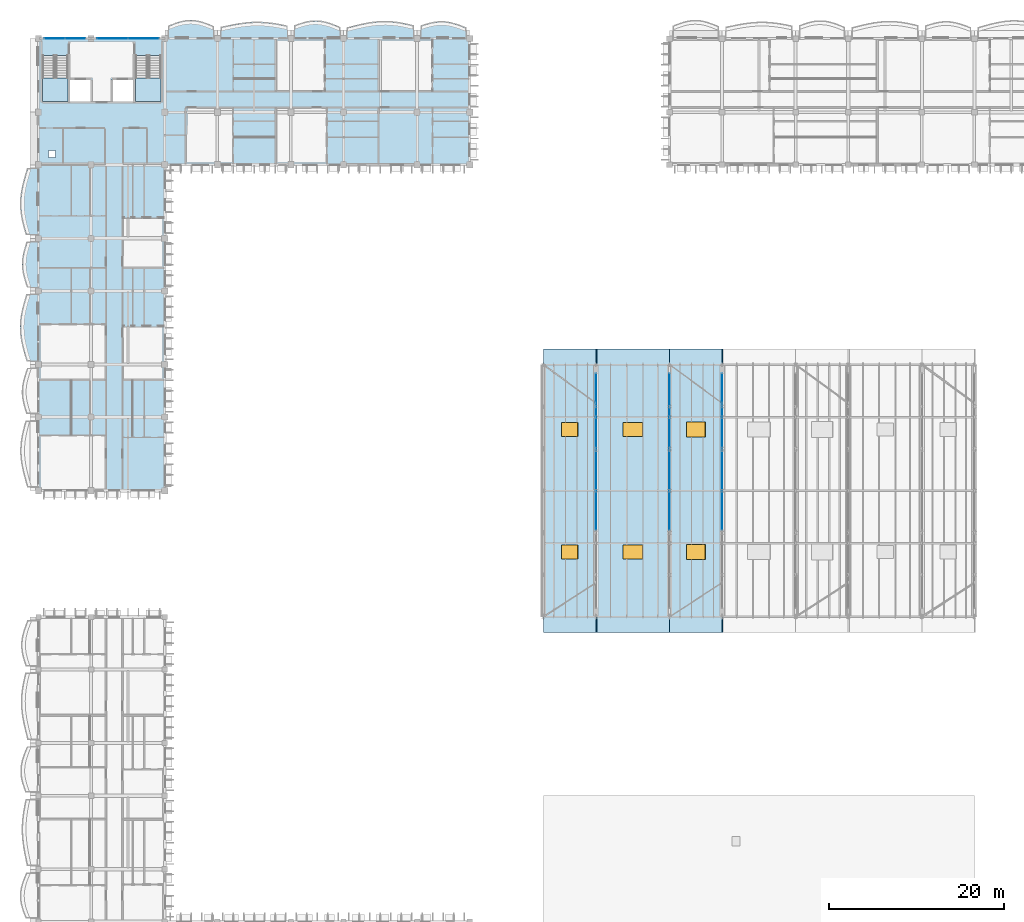
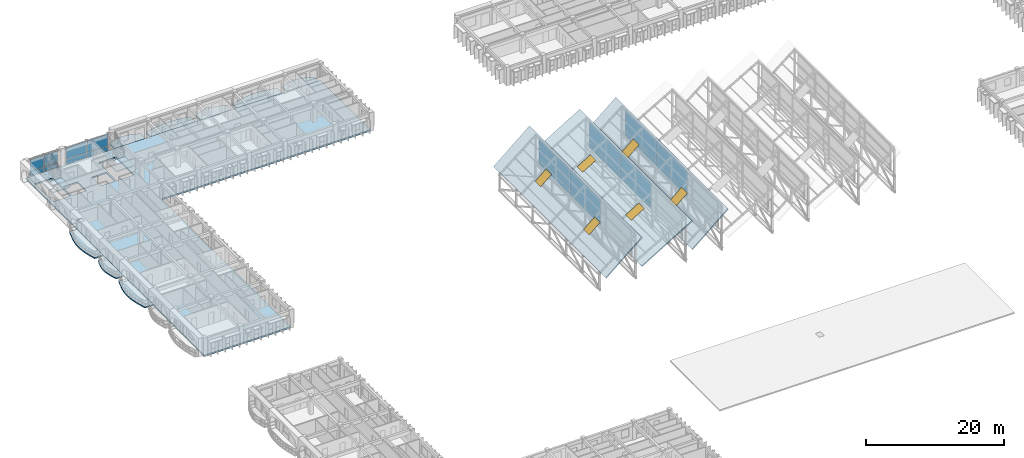
# One storey, part 33 of 101: 20 plates, 14 slabs, 6 windows, 6 openings, 7 elements without a shape of their own.
"""IFC4 building model written with IfcOpenShell, lengths in metres."""

from ifc_helpers import new_model, si_unit, direction, frame, origin, origin_2d, place, context, subcontext, project, spatial, polyline, rectangle, outline, extrude, material, layer, layer_set, type_object, element, fill, aggregate, save


model = new_model("IFC4")

# Units and contexts
model_context = context("Model", 3, precision=1e-05, world=origin(), true_north=direction((0.0, 1.0)))
body_context = subcontext(model_context, "Body", "Model", "MODEL_VIEW")
ifc_project = project(units=[si_unit("LENGTHUNIT", "METRE"), si_unit("AREAUNIT", "SQUARE_METRE"), si_unit("VOLUMEUNIT", "CUBIC_METRE"), si_unit("PLANEANGLEUNIT", "RADIAN"), si_unit("MASSUNIT", "GRAM", prefix="KILO"), si_unit("THERMODYNAMICTEMPERATUREUNIT", "KELVIN")], contexts=[model_context])

# Site, building, storey
site_placement = place(None, origin())
site = spatial("IfcSite", under=ifc_project, at=site_placement, CompositionType="ELEMENT")
building_placement = place(site_placement, origin())
building = spatial("IfcBuilding", under=site, at=building_placement, Name="Thalorik Housing Commons", CompositionType="ELEMENT")
storey_placement = place(building_placement, frame((0.0, 0.0, 8.10009765625)))
storey = spatial("IfcBuildingStorey", under=building, at=storey_placement, Name="L02", CompositionType="ELEMENT", Elevation=8.10009765625)

# Curtain wall, plates
ifc_material_1 = material(Name="Anodised aluminium and solar-control low-E glass", Category="aluminium")
curtain_wall_type_1 = type_object("IfcCurtainWallType", Name="ARC-CW-CORE", PredefinedType="USERDEFINED", material=ifc_material_1)
curtain_wall_1_placement = place(storey_placement, origin())
curtain_wall_1 = element("IfcCurtainWall", 1, at=curtain_wall_1_placement, inside=storey, type_object=curtain_wall_type_1, Name="L02 Curtain Wall CW-CORE-L02-A-010", ObjectType="CURTAIN WALL", PredefinedType="USERDEFINED")
ifc_material_2 = material(Name="Cobalt blue enamelled aluminium spandrel panel", Category="aluminium")
ifc_layer_1 = layer(ifc_material_2, 0.0458984375, Name="Cobalt blue enamelled aluminium spandrel panel", Category="aluminium")
ifc_layer_set_1 = layer_set([ifc_layer_1], Name="Cobalt blue enamelled aluminium spandrel panel")
plate_type_1 = type_object("IfcPlateType", Name="ARC-CP-BLU-46", PredefinedType="CURTAIN_PANEL", material=ifc_layer_set_1)
plate_1_placement = place(storey_placement, frame((12.574951171875, 123.60009765625, 0.080078125), z_axis=(0.0, 0.0, 1.0), x_axis=(-1.0, 0.0, 0.0)))
plate_1 = element("IfcPlate", 2, at=plate_1_placement, type_object=plate_type_1, Name="CW-CORE-L02-A-010 Spandrel Panel 1", PredefinedType="CURTAIN_PANEL", context=body_context, shape_type="SweptSolid", body=[
    extrude(rectangle(XDim=2.2900390625, YDim=0.0458984375, at=origin_2d()), origin(), (0.0, 0.0, 1.0), 0.760009765625),
])
plate_2_placement = place(storey_placement, frame((10.22509765625, 123.60009765625, 0.080078125), z_axis=(0.0, 0.0, 1.0), x_axis=(-1.0, 0.0, 0.0)))
plate_2 = element("IfcPlate", 3, at=plate_2_placement, type_object=plate_type_1, Name="CW-CORE-L02-A-010 Spandrel Panel 2", PredefinedType="CURTAIN_PANEL", context=body_context, shape_type="SweptSolid", body=[
    extrude(rectangle(XDim=2.2900390625, YDim=0.0458984375, at=origin_2d()), origin(), (0.0, 0.0, 1.0), 0.760009765625),
])

curtain_wall_type_2 = type_object("IfcCurtainWallType", Name="ARC-CW-CLER", PredefinedType="USERDEFINED", material=ifc_material_1)
curtain_wall_2_placement = place(storey_placement, origin())
curtain_wall_2 = element("IfcCurtainWall", 4, at=curtain_wall_2_placement, inside=storey, type_object=curtain_wall_type_2, Name="L02 Curtain Wall CW-SAW-CLER-01", ObjectType="CURTAIN WALL", PredefinedType="USERDEFINED")
plate_3_placement = place(storey_placement, frame((72.0, 72.0, 3.3798828125), z_axis=(0.0, 0.0, 1.0), x_axis=(0.0, 1.0, 0.0)))
plate_3 = element("IfcPlate", 5, at=plate_3_placement, type_object=plate_type_1, Name="CW-SAW-CLER-01 Spandrel Panel 2", PredefinedType="CURTAIN_PANEL", context=body_context, shape_type="SweptSolid", body=[
    extrude(rectangle(XDim=8.873291015625, YDim=0.0458984375, at=origin_2d()), origin(), (0.0, 0.0, 1.0), 0.760009765625),
])
plate_4_placement = place(storey_placement, frame((72.0, 80.933349609375, 3.3798828125), z_axis=(0.0, 0.0, 1.0), x_axis=(0.0, 1.0, 0.0)))
plate_4 = element("IfcPlate", 6, at=plate_4_placement, type_object=plate_type_1, Name="CW-SAW-CLER-01 Spandrel Panel 3", PredefinedType="CURTAIN_PANEL", context=body_context, shape_type="SweptSolid", body=[
    extrude(rectangle(XDim=8.873291015625, YDim=0.0458984375, at=origin_2d()), origin(), (0.0, 0.0, 1.0), 0.760009765625),
])

curtain_wall_3_placement = place(storey_placement, origin())
curtain_wall_3 = element("IfcCurtainWall", 7, at=curtain_wall_3_placement, inside=storey, type_object=curtain_wall_type_1, Name="L02 Curtain Wall CW-CORE-L02-A-009", ObjectType="CURTAIN WALL", PredefinedType="USERDEFINED")
ifc_material_3 = material(Name="Double solar-control low-E glass", Category="glass")
ifc_layer_2 = layer(ifc_material_3, 0.028076171875, Name="Double solar-control low-E glass", Category="glass")
ifc_layer_set_2 = layer_set([ifc_layer_2], Name="Double solar-control low-E glass")
plate_type_2 = type_object("IfcPlateType", Name="ARC-CP-GLZ-28", PredefinedType="CURTAIN_PANEL", material=ifc_layer_set_2)
plate_5_placement = place(storey_placement, frame((20.375, 123.60009765625, 0.919921875), z_axis=(0.0, 0.0, 1.0), x_axis=(-1.0, 0.0, 0.0)))
plate_5 = element("IfcPlate", 8, at=plate_5_placement, type_object=plate_type_2, Name="CW-CORE-L02-A-009 Vision Panel 1", PredefinedType="CURTAIN_PANEL", context=body_context, shape_type="SweptSolid", body=[
    extrude(rectangle(XDim=3.489990234375, YDim=0.028076171875, at=origin_2d()), origin(), (0.0, 0.0, 1.0), 2.0400390625),
])
plate_6_placement = place(storey_placement, frame((16.824951171875, 123.60009765625, 0.919921875), z_axis=(0.0, 0.0, 1.0), x_axis=(-1.0, 0.0, 0.0)))
plate_6 = element("IfcPlate", 9, at=plate_6_placement, type_object=plate_type_2, Name="CW-CORE-L02-A-009 Vision Panel 2", PredefinedType="CURTAIN_PANEL", context=body_context, shape_type="SweptSolid", body=[
    extrude(rectangle(XDim=3.489990234375, YDim=0.028076171875, at=origin_2d()), origin(), (0.0, 0.0, 1.0), 2.0400390625),
])

# Plate
plate_7_placement = place(storey_placement, frame((12.574951171875, 123.60009765625, 0.919921875), z_axis=(0.0, 0.0, 1.0), x_axis=(-1.0, 0.0, 0.0)))
plate_7 = element("IfcPlate", 10, at=plate_7_placement, type_object=plate_type_2, Name="CW-CORE-L02-A-010 Vision Panel 1", PredefinedType="CURTAIN_PANEL", context=body_context, shape_type="SweptSolid", body=[
    extrude(rectangle(XDim=2.2900390625, YDim=0.028076171875, at=origin_2d()), origin(), (0.0, 0.0, 1.0), 2.0400390625),
])

plate_8_placement = place(storey_placement, frame((10.22509765625, 123.60009765625, 0.919921875), z_axis=(0.0, 0.0, 1.0), x_axis=(-1.0, 0.0, 0.0)))
plate_8 = element("IfcPlate", 11, at=plate_8_placement, type_object=plate_type_2, Name="CW-CORE-L02-A-010 Vision Panel 2", PredefinedType="CURTAIN_PANEL", context=body_context, shape_type="SweptSolid", body=[
    extrude(rectangle(XDim=2.2900390625, YDim=0.028076171875, at=origin_2d()), origin(), (0.0, 0.0, 1.0), 2.0400390625),
])

aggregate(curtain_wall_1, [plate_1, plate_7, plate_2, plate_8])

plate_9_placement = place(storey_placement, frame((72.0, 72.0, 4.219970703125), z_axis=(0.0, 0.0, 1.0), x_axis=(0.0, 1.0, 0.0)))
plate_9 = element("IfcPlate", 12, at=plate_9_placement, type_object=plate_type_2, Name="CW-SAW-CLER-01 Vision Panel 2", PredefinedType="CURTAIN_PANEL", context=body_context, shape_type="SweptSolid", body=[
    extrude(rectangle(XDim=8.873291015625, YDim=0.028076171875, at=origin_2d()), origin(), (0.0, 0.0, 1.0), 3.64990234375),
])

plate_10_placement = place(storey_placement, frame((72.0, 80.933349609375, 4.219970703125), z_axis=(0.0, 0.0, 1.0), x_axis=(0.0, 1.0, 0.0)))
plate_10 = element("IfcPlate", 13, at=plate_10_placement, type_object=plate_type_2, Name="CW-SAW-CLER-01 Vision Panel 3", PredefinedType="CURTAIN_PANEL", context=body_context, shape_type="SweptSolid", body=[
    extrude(rectangle(XDim=8.873291015625, YDim=0.028076171875, at=origin_2d()), origin(), (0.0, 0.0, 1.0), 3.64990234375),
])

aggregate(curtain_wall_2, [plate_3, plate_9, plate_4, plate_10])

# Curtain wall, plates
curtain_wall_4_placement = place(storey_placement, origin())
curtain_wall_4 = element("IfcCurtainWall", 14, at=curtain_wall_4_placement, inside=storey, type_object=curtain_wall_type_2, Name="L02 Curtain Wall CW-SAW-CLER-02", ObjectType="CURTAIN WALL", PredefinedType="USERDEFINED")
plate_11_placement = place(storey_placement, frame((80.39990234375, 72.0, 4.219970703125), z_axis=(0.0, 0.0, 1.0), x_axis=(0.0, 1.0, 0.0)))
plate_11 = element("IfcPlate", 15, at=plate_11_placement, type_object=plate_type_2, Name="CW-SAW-CLER-02 Vision Panel 2", PredefinedType="CURTAIN_PANEL", context=body_context, shape_type="SweptSolid", body=[
    extrude(rectangle(XDim=8.873291015625, YDim=0.028076171875, at=origin_2d()), origin(), (0.0, 0.0, 1.0), 3.64990234375),
])
plate_12_placement = place(storey_placement, frame((80.39990234375, 80.933349609375, 4.219970703125), z_axis=(0.0, 0.0, 1.0), x_axis=(0.0, 1.0, 0.0)))
plate_12 = element("IfcPlate", 16, at=plate_12_placement, type_object=plate_type_2, Name="CW-SAW-CLER-02 Vision Panel 3", PredefinedType="CURTAIN_PANEL", context=body_context, shape_type="SweptSolid", body=[
    extrude(rectangle(XDim=8.873291015625, YDim=0.028076171875, at=origin_2d()), origin(), (0.0, 0.0, 1.0), 3.64990234375),
])

curtain_wall_5_placement = place(storey_placement, origin())
curtain_wall_5 = element("IfcCurtainWall", 17, at=curtain_wall_5_placement, inside=storey, type_object=curtain_wall_type_2, Name="L02 Curtain Wall CW-SAW-CLER-03", ObjectType="CURTAIN WALL", PredefinedType="USERDEFINED")
plate_13_placement = place(storey_placement, frame((86.39990234375, 72.0, 4.219970703125), z_axis=(0.0, 0.0, 1.0), x_axis=(0.0, 1.0, 0.0)))
plate_13 = element("IfcPlate", 18, at=plate_13_placement, type_object=plate_type_2, Name="CW-SAW-CLER-03 Vision Panel 2", PredefinedType="CURTAIN_PANEL", context=body_context, shape_type="SweptSolid", body=[
    extrude(rectangle(XDim=8.873291015625, YDim=0.028076171875, at=origin_2d()), origin(), (0.0, 0.0, 1.0), 3.64990234375),
])
plate_14_placement = place(storey_placement, frame((86.39990234375, 80.933349609375, 4.219970703125), z_axis=(0.0, 0.0, 1.0), x_axis=(0.0, 1.0, 0.0)))
plate_14 = element("IfcPlate", 19, at=plate_14_placement, type_object=plate_type_2, Name="CW-SAW-CLER-03 Vision Panel 3", PredefinedType="CURTAIN_PANEL", context=body_context, shape_type="SweptSolid", body=[
    extrude(rectangle(XDim=8.873291015625, YDim=0.028076171875, at=origin_2d()), origin(), (0.0, 0.0, 1.0), 3.64990234375),
])

# Plate
ifc_material_4 = material(Name="Oxide red enamelled aluminium spandrel panel", Category="aluminium")
ifc_layer_3 = layer(ifc_material_4, 0.0419921875, Name="Oxide red enamelled aluminium spandrel panel", Category="aluminium")
ifc_layer_set_3 = layer_set([ifc_layer_3], Name="Oxide red enamelled aluminium spandrel panel")
plate_type_3 = type_object("IfcPlateType", Name="ARC-CP-RED-42", PredefinedType="CURTAIN_PANEL", material=ifc_layer_set_3)
plate_15_placement = place(storey_placement, frame((20.375, 123.60009765625, 0.080078125), z_axis=(0.0, 0.0, 1.0), x_axis=(-1.0, 0.0, 0.0)))
plate_15 = element("IfcPlate", 20, at=plate_15_placement, type_object=plate_type_3, Name="CW-CORE-L02-A-009 Spandrel Panel 1", PredefinedType="CURTAIN_PANEL", context=body_context, shape_type="SweptSolid", body=[
    extrude(rectangle(XDim=3.489990234375, YDim=0.0419921875, at=origin_2d()), origin(), (0.0, 0.0, 1.0), 0.760009765625),
])

plate_16_placement = place(storey_placement, frame((16.824951171875, 123.60009765625, 0.080078125), z_axis=(0.0, 0.0, 1.0), x_axis=(-1.0, 0.0, 0.0)))
plate_16 = element("IfcPlate", 21, at=plate_16_placement, type_object=plate_type_3, Name="CW-CORE-L02-A-009 Spandrel Panel 2", PredefinedType="CURTAIN_PANEL", context=body_context, shape_type="SweptSolid", body=[
    extrude(rectangle(XDim=3.489990234375, YDim=0.0419921875, at=origin_2d()), origin(), (0.0, 0.0, 1.0), 0.760009765625),
])

aggregate(curtain_wall_3, [plate_15, plate_5, plate_16, plate_6])

plate_17_placement = place(storey_placement, frame((86.39990234375, 72.0, 3.3798828125), z_axis=(0.0, 0.0, 1.0), x_axis=(0.0, 1.0, 0.0)))
plate_17 = element("IfcPlate", 22, at=plate_17_placement, type_object=plate_type_3, Name="CW-SAW-CLER-03 Spandrel Panel 2", PredefinedType="CURTAIN_PANEL", context=body_context, shape_type="SweptSolid", body=[
    extrude(rectangle(XDim=8.873291015625, YDim=0.0419921875, at=origin_2d()), origin(), (0.0, 0.0, 1.0), 0.760009765625),
])

plate_18_placement = place(storey_placement, frame((86.39990234375, 80.933349609375, 3.3798828125), z_axis=(0.0, 0.0, 1.0), x_axis=(0.0, 1.0, 0.0)))
plate_18 = element("IfcPlate", 23, at=plate_18_placement, type_object=plate_type_3, Name="CW-SAW-CLER-03 Spandrel Panel 3", PredefinedType="CURTAIN_PANEL", context=body_context, shape_type="SweptSolid", body=[
    extrude(rectangle(XDim=8.873291015625, YDim=0.0419921875, at=origin_2d()), origin(), (0.0, 0.0, 1.0), 0.760009765625),
])

aggregate(curtain_wall_5, [plate_17, plate_13, plate_18, plate_14])

ifc_material_5 = material(Name="Mineral ochre yellow aluminium spandrel panel", Category="aluminium")
ifc_layer_4 = layer(ifc_material_5, 0.050048828125, Name="Mineral ochre yellow aluminium spandrel panel", Category="aluminium")
ifc_layer_set_4 = layer_set([ifc_layer_4], Name="Mineral ochre yellow aluminium spandrel panel")
plate_type_4 = type_object("IfcPlateType", Name="ARC-CP-YEL-50", PredefinedType="CURTAIN_PANEL", material=ifc_layer_set_4)
plate_19_placement = place(storey_placement, frame((80.39990234375, 72.0, 3.3798828125), z_axis=(0.0, 0.0, 1.0), x_axis=(0.0, 1.0, 0.0)))
plate_19 = element("IfcPlate", 24, at=plate_19_placement, type_object=plate_type_4, Name="CW-SAW-CLER-02 Spandrel Panel 2", PredefinedType="CURTAIN_PANEL", context=body_context, shape_type="SweptSolid", body=[
    extrude(rectangle(XDim=8.873291015625, YDim=0.050048828125, at=origin_2d()), origin(), (0.0, 0.0, 1.0), 0.760009765625),
])

plate_20_placement = place(storey_placement, frame((80.39990234375, 80.933349609375, 3.3798828125), z_axis=(0.0, 0.0, 1.0), x_axis=(0.0, 1.0, 0.0)))
plate_20 = element("IfcPlate", 25, at=plate_20_placement, type_object=plate_type_4, Name="CW-SAW-CLER-02 Spandrel Panel 3", PredefinedType="CURTAIN_PANEL", context=body_context, shape_type="SweptSolid", body=[
    extrude(rectangle(XDim=8.873291015625, YDim=0.050048828125, at=origin_2d()), origin(), (0.0, 0.0, 1.0), 0.760009765625),
])

aggregate(curtain_wall_4, [plate_19, plate_11, plate_20, plate_12])

# Stair, slab
ifc_material_6 = material(Name="Precast concrete C40/50", Category="concrete")
stair_type = type_object("IfcStairType", Name="ARC-STR-1350-R20", PredefinedType="HALF_TURN_STAIR", material=ifc_material_6)
stair_1_placement = place(storey_placement, origin())
stair_1 = element("IfcStair", 26, at=stair_1_placement, inside=storey, type_object=stair_type, Name="L02 Block A Smoke-Proof Stair 1", PredefinedType="HALF_TURN_STAIR")
ifc_layer_5 = layer(ifc_material_6, 0.199951171875, Name="Precast concrete C40/50", Category="concrete")
ifc_layer_set_5 = layer_set([ifc_layer_5], Name="Precast concrete C40/50")
slab_type_1 = type_object("IfcSlabType", Name="ARC-SLB-STLND-200", PredefinedType="LANDING", material=ifc_layer_set_5)
slab_1_placement = place(storey_placement, frame((0.0, 0.0, 1.449951171875)))
slab_1 = element("IfcSlab", 27, at=slab_1_placement, type_object=slab_type_1, Name="ST-A1 landing 1", PredefinedType="LANDING", context=body_context, shape_type="SweptSolid", body=[
    extrude(outline(polyline([(8.85009765625, 119.090087890625), (8.85009765625, 116.449951171875), (11.75, 116.449951171875), (11.75, 119.090087890625), (8.85009765625, 119.090087890625)])), origin(), (0.0, 0.0, 1.0), 0.199951171875),
])
aggregate(stair_1, [slab_1])

stair_2_placement = place(storey_placement, origin())
stair_2 = element("IfcStair", 28, at=stair_2_placement, inside=storey, type_object=stair_type, Name="L02 Block A Smoke-Proof Stair 2", PredefinedType="HALF_TURN_STAIR")
slab_2_placement = place(storey_placement, frame((0.0, 0.0, 1.449951171875)))
slab_2 = element("IfcSlab", 29, at=slab_2_placement, type_object=slab_type_1, Name="ST-A2 landing 1", PredefinedType="LANDING", context=body_context, shape_type="SweptSolid", body=[
    extrude(outline(polyline([(19.449951171875, 119.090087890625), (19.449951171875, 116.449951171875), (22.35009765625, 116.449951171875), (22.35009765625, 119.090087890625), (19.449951171875, 119.090087890625)])), origin(), (0.0, 0.0, 1.0), 0.199951171875),
])
aggregate(stair_2, [slab_2])

# Slabs
ifc_layer_6 = layer(ifc_material_6, 0.199951171875, Name="Precast concrete C40/50", Category="concrete")
ifc_layer_set_6 = layer_set([ifc_layer_6], Name="Precast concrete C40/50")
slab_type_2 = type_object("IfcSlabType", Name="STR-SLB-BALC-200", PredefinedType="FLOOR", material=ifc_layer_set_6)
slab_3_placement = place(storey_placement, frame((0.0, 0.0, -0.2001953125)))
element("IfcSlab", 30, at=slab_3_placement, inside=storey, type_object=slab_type_2, Name="L02 Block A Cushion Balcony 1", PredefinedType="FLOOR", context=body_context, shape_type="SweptSolid", body=[
    extrude(outline(polyline([(23.219970703125, 123.60009765625), (28.3798828125, 123.60009765625), (28.3798828125, 124.99072265625), (27.949951171875, 125.17041015625), (27.52001953125, 125.338134765625), (27.090087890625, 125.482421875), (26.659912109375, 125.5947265625), (26.22998046875, 125.667236328125), (25.800048828125, 125.69580078125), (25.3701171875, 125.6787109375), (24.93994140625, 125.6171875), (24.510009765625, 125.515380859375), (24.080078125, 125.380126953125), (23.64990234375, 125.22021484375), (23.219970703125, 125.04638671875), (23.219970703125, 123.60009765625)])), origin(), (0.0, 0.0, 1.0), 0.2001953125),
])
slab_4_placement = place(storey_placement, frame((0.0, 0.0, -0.2001953125)))
element("IfcSlab", 31, at=slab_4_placement, inside=storey, type_object=slab_type_2, Name="L02 Block A Cushion Balcony 3", PredefinedType="FLOOR", context=body_context, shape_type="SweptSolid", body=[
    extrude(outline(polyline([(37.6201171875, 123.60009765625), (42.780029296875, 123.60009765625), (42.780029296875, 124.901611328125), (42.35009765625, 125.07958984375), (41.919921875, 125.248291015625), (41.489990234375, 125.397216796875), (41.06005859375, 125.5166015625), (40.6298828125, 125.599365234375), (40.199951171875, 125.640380859375), (39.77001953125, 125.6376953125), (39.340087890625, 125.592041015625), (38.909912109375, 125.507080078125), (38.47998046875, 125.388916015625), (38.050048828125, 125.24560546875), (37.6201171875, 125.087646484375), (37.6201171875, 123.60009765625)])), origin(), (0.0, 0.0, 1.0), 0.2001953125),
])
slab_5_placement = place(storey_placement, frame((0.0, 0.0, -0.2001953125)))
element("IfcSlab", 32, at=slab_5_placement, inside=storey, type_object=slab_type_2, Name="L02 Block A Cushion Balcony 5", PredefinedType="FLOOR", context=body_context, shape_type="SweptSolid", body=[
    extrude(outline(polyline([(52.02001953125, 123.60009765625), (57.179931640625, 123.60009765625), (57.179931640625, 124.85205078125), (56.75, 125.0166015625), (56.320068359375, 125.174072265625), (55.889892578125, 125.314453125), (55.4599609375, 125.42822265625), (55.030029296875, 125.50830078125), (54.60009765625, 125.55029296875), (54.169921875, 125.55126953125), (53.739990234375, 125.512451171875), (53.31005859375, 125.43701171875), (52.8798828125, 125.330810546875), (52.449951171875, 125.201904296875), (52.02001953125, 125.0595703125), (52.02001953125, 123.60009765625)])), origin(), (0.0, 0.0, 1.0), 0.2001953125),
])
slab_6_placement = place(storey_placement, frame((0.0, 0.0, -0.2001953125)))
element("IfcSlab", 33, at=slab_6_placement, inside=storey, type_object=slab_type_2, Name="L02 Block A Cushion Balcony 9", PredefinedType="FLOOR", context=body_context, shape_type="SweptSolid", body=[
    extrude(outline(polyline([(8.39990234375, 95.219970703125), (8.39990234375, 100.3798828125), (7.052734375, 100.3798828125), (6.915771484375, 99.949951171875), (6.7880859375, 99.52001953125), (6.678955078125, 99.090087890625), (6.5966796875, 98.659912109375), (6.547119140625, 98.22998046875), (6.533935546875, 97.800048828125), (6.55859375, 97.3701171875), (6.619140625, 96.93994140625), (6.7119140625, 96.510009765625), (6.830078125, 96.080078125), (6.96533203125, 95.64990234375), (7.1083984375, 95.219970703125), (8.39990234375, 95.219970703125)])), origin(), (0.0, 0.0, 1.0), 0.2001953125),
])
ifc_layer_7 = layer(ifc_material_6, 0.219970703125, Name="Precast concrete C40/50", Category="concrete")
ifc_layer_set_7 = layer_set([ifc_layer_7], Name="Precast concrete C40/50")
slab_type_3 = type_object("IfcSlabType", Name="STR-SLB-BALC-220", PredefinedType="FLOOR", material=ifc_layer_set_7)
slab_7_placement = place(storey_placement, frame((0.0, 0.0, -0.22021484375)))
element("IfcSlab", 34, at=slab_7_placement, inside=storey, type_object=slab_type_3, Name="L02 Block A Cushion Balcony 2", PredefinedType="FLOOR", context=body_context, shape_type="SweptSolid", body=[
    extrude(outline(polyline([(29.219970703125, 123.60009765625), (36.780029296875, 123.60009765625), (36.780029296875, 125.048583984375), (36.14990234375, 125.179931640625), (35.52001953125, 125.296630859375), (34.889892578125, 125.390869140625), (34.260009765625, 125.456298828125), (33.6298828125, 125.489013671875), (33.0, 125.486572265625), (32.3701171875, 125.44970703125), (31.739990234375, 125.380615234375), (31.110107421875, 125.284423828125), (30.47998046875, 125.16748046875), (29.85009765625, 125.037841796875), (29.219970703125, 124.904296875), (29.219970703125, 123.60009765625)])), origin(), (0.0, 0.0, 1.0), 0.22021484375),
])
slab_8_placement = place(storey_placement, frame((0.0, 0.0, -0.22021484375)))
element("IfcSlab", 35, at=slab_8_placement, inside=storey, type_object=slab_type_3, Name="L02 Block A Cushion Balcony 4", PredefinedType="FLOOR", context=body_context, shape_type="SweptSolid", body=[
    extrude(outline(polyline([(43.6201171875, 123.60009765625), (51.179931640625, 123.60009765625), (51.179931640625, 125.087890625), (50.550048828125, 125.239990234375), (49.919921875, 125.373046875), (49.2900390625, 125.477783203125), (48.659912109375, 125.54736328125), (48.030029296875, 125.5771484375), (47.39990234375, 125.5654296875), (46.77001953125, 125.51318359375), (46.139892578125, 125.424072265625), (45.510009765625, 125.3046875), (44.8798828125, 125.162841796875), (44.25, 125.0087890625), (43.6201171875, 124.8525390625), (43.6201171875, 123.60009765625)])), origin(), (0.0, 0.0, 1.0), 0.22021484375),
])
slab_9_placement = place(storey_placement, frame((0.0, 0.0, -0.22021484375)))
element("IfcSlab", 36, at=slab_9_placement, inside=storey, type_object=slab_type_3, Name="L02 Block A Cushion Balcony 8", PredefinedType="FLOOR", context=body_context, shape_type="SweptSolid", body=[
    extrude(outline(polyline([(8.39990234375, 86.820068359375), (8.39990234375, 94.3798828125), (7.02490234375, 94.3798828125), (6.83447265625, 93.75), (6.65771484375, 93.1201171875), (6.5068359375, 92.489990234375), (6.392333984375, 91.860107421875), (6.322021484375, 91.22998046875), (6.301025390625, 90.60009765625), (6.33056640625, 89.969970703125), (6.408447265625, 89.340087890625), (6.529541015625, 88.7099609375), (6.685302734375, 88.080078125), (6.86474609375, 87.449951171875), (7.0556640625, 86.820068359375), (8.39990234375, 86.820068359375)])), origin(), (0.0, 0.0, 1.0), 0.22021484375),
])
slab_10_placement = place(storey_placement, frame((0.0, 0.0, -0.22021484375)))
element("IfcSlab", 37, at=slab_10_placement, inside=storey, type_object=slab_type_3, Name="L02 Block A Cushion Balcony 10", PredefinedType="FLOOR", context=body_context, shape_type="SweptSolid", body=[
    extrude(outline(polyline([(8.39990234375, 101.219970703125), (8.39990234375, 108.780029296875), (7.110595703125, 108.780029296875), (6.92529296875, 108.14990234375), (6.74658203125, 107.52001953125), (6.58740234375, 106.889892578125), (6.458251953125, 106.260009765625), (6.36865234375, 105.6298828125), (6.32470703125, 105.0), (6.329345703125, 104.3701171875), (6.382568359375, 103.739990234375), (6.48095703125, 103.110107421875), (6.61767578125, 102.47998046875), (6.783203125, 101.85009765625), (6.96630859375, 101.219970703125), (8.39990234375, 101.219970703125)])), origin(), (0.0, 0.0, 1.0), 0.22021484375),
])
ifc_material_7 = material(Name="Precast concrete C45/55", Category="concrete")
ifc_layer_8 = layer(ifc_material_7, 0.260009765625, Name="Precast concrete C45/55", Category="concrete")
ifc_layer_set_8 = layer_set([ifc_layer_8], Name="Precast concrete C45/55")
slab_type_4 = type_object("IfcSlabType", Name="STR-SLB-HC-260", PredefinedType="FLOOR", material=ifc_layer_set_8)
slab_11_placement = place(storey_placement, frame((0.0, 0.0, -0.260009765625)))
element("IfcSlab", 38, at=slab_11_placement, inside=storey, type_object=slab_type_4, Name="L02 Residential Block A Floor Slab", PredefinedType="FLOOR", context=body_context, shape_type="SweptSolid", body=[
    extrude(outline(polyline([(8.39990234375, 123.60009765625), (8.39990234375, 109.199951171875), (8.39990234375, 72.0), (22.800048828125, 72.0), (22.800048828125, 109.199951171875), (57.60009765625, 109.199951171875), (57.60009765625, 123.60009765625), (8.39990234375, 123.60009765625)]), holes=[polyline([(8.85009765625, 121.64990234375), (11.75, 121.64990234375), (11.75, 116.449951171875), (8.85009765625, 116.449951171875), (8.85009765625, 121.64990234375)]), polyline([(22.35009765625, 121.64990234375), (22.35009765625, 116.449951171875), (19.449951171875, 116.449951171875), (19.449951171875, 121.64990234375), (22.35009765625, 121.64990234375)]), polyline([(14.39990234375, 119.0), (14.39990234375, 116.449951171875), (12.0, 116.449951171875), (12.0, 119.0), (14.39990234375, 119.0)]), polyline([(19.199951171875, 116.449951171875), (16.800048828125, 116.449951171875), (16.800048828125, 119.0), (19.199951171875, 119.0), (19.199951171875, 116.449951171875)]), polyline([(9.550048828125, 110.050048828125), (9.550048828125, 110.85009765625), (10.35009765625, 110.85009765625), (10.35009765625, 110.050048828125), (9.550048828125, 110.050048828125)])]), origin(), (0.0, 0.0, 1.0), 0.260009765625),
])

# Slab, openings, windows
ifc_layer_9 = layer(ifc_material_6, 0.179931640625, Name="Precast concrete C40/50", Category="concrete")
ifc_layer_set_9 = layer_set([ifc_layer_9], Name="Precast concrete C40/50")
slab_type_5 = type_object("IfcSlabType", Name="STR-SLB-SAW-180", PredefinedType="ROOF", material=ifc_layer_set_9)
slab_12_placement = place(storey_placement, frame((66.0, 55.800048828125, 3.2998046875), z_axis=(-0.647655619635, 0.0, 0.761933198092), x_axis=(0.761933198092, 0.0, 0.647655619635)))
slab_12 = element("IfcSlab", 39, at=slab_12_placement, inside=storey, type_object=slab_type_5, Name="L02 Community Hall Sawtooth Roof Facet 1", PredefinedType="ROOF", context=body_context, shape_type="SweptSolid", body=[
    extrude(outline(polyline([(0.0, 0.0), (7.874706096311579, 0.0), (7.874706096311579, 32.39990234375), (0.0, 32.39990234375), (0.0, 0.0)])), origin(), (0.0, 0.0, -1.0), 0.179931640625),
])
opening_1_placement = place(slab_12_placement, frame((3.937255859375, 9.199951171875, 0.010009765625), z_axis=(0.0, 0.0, -1.0), x_axis=(1.0, 0.0, 0.0)))
opening_1 = element("IfcOpeningElement", 40, at=opening_1_placement, cuts=slab_12, Name="Opening SK-01", PredefinedType="OPENING", context=body_context, shape_type="SweptSolid", body=[
    extrude(rectangle(XDim=2.39990234375, YDim=1.60009765625, at=origin_2d()), origin(), (0.0, 0.0, 1.0), 0.199951171875),
])
opening_2_placement = place(slab_12_placement, frame((3.937255859375, 23.199951171875, 0.010009765625), z_axis=(0.0, 0.0, -1.0), x_axis=(1.0, 0.0, 0.0)))
opening_2 = element("IfcOpeningElement", 41, at=opening_2_placement, cuts=slab_12, Name="Opening SK-01", PredefinedType="OPENING", context=body_context, shape_type="SweptSolid", body=[
    extrude(rectangle(XDim=2.39990234375, YDim=1.60009765625, at=origin_2d()), origin(), (0.0, 0.0, 1.0), 0.199951171875),
])
ifc_material_8 = material(Name="Laminated solar-control skylight glass and aluminium frame", Category="aluminium")
window_type_1 = type_object("IfcWindowType", Name="ARC-SKY-01", PartitioningType="DOUBLE_PANEL_HORIZONTAL", PredefinedType="SKYLIGHT", material=ifc_material_8)
window_1_placement = place(opening_1_placement, frame((0.0, 0.0, 0.010009765625)))
window_1 = element("IfcWindow", 42, at=window_1_placement, inside=storey, type_object=window_type_1, Name="L02 Sawtooth North-Light Skylight 1.1", OverallHeight=1.60009765625, OverallWidth=2.39990234375, PartitioningType="DOUBLE_PANEL_HORIZONTAL", PredefinedType="SKYLIGHT", context=body_context, shape_type="SweptSolid", body=[
    extrude(rectangle(XDim=2.39990234375, YDim=1.60009765625, at=origin_2d()), origin(), (0.0, 0.0, 1.0), 0.050048828125),
])
fill(opening_1, window_1)
window_2_placement = place(opening_2_placement, frame((0.0, 0.0, 0.010009765625)))
window_2 = element("IfcWindow", 43, at=window_2_placement, inside=storey, type_object=window_type_1, Name="L02 Sawtooth North-Light Skylight 1.2", OverallHeight=1.60009765625, OverallWidth=2.39990234375, PartitioningType="DOUBLE_PANEL_HORIZONTAL", PredefinedType="SKYLIGHT", context=body_context, shape_type="SweptSolid", body=[
    extrude(rectangle(XDim=2.39990234375, YDim=1.60009765625, at=origin_2d()), origin(), (0.0, 0.0, 1.0), 0.050048828125),
])
fill(opening_2, window_2)

slab_13_placement = place(storey_placement, frame((72.0, 55.800048828125, 3.2998046875), z_axis=(-0.518989803665, 0.0, 0.854780430106), x_axis=(0.854780430106, 0.0, 0.518989803665)))
slab_13 = element("IfcSlab", 44, at=slab_13_placement, inside=storey, type_object=slab_type_5, Name="L02 Community Hall Sawtooth Roof Facet 2", PredefinedType="ROOF", context=body_context, shape_type="SweptSolid", body=[
    extrude(outline(polyline([(0.0, 0.0), (9.826970819526405, 0.0), (9.826970819526405, 32.39990234375), (0.0, 32.39990234375), (0.0, 0.0)])), origin(), (0.0, 0.0, -1.0), 0.179931640625),
])
opening_3_placement = place(slab_13_placement, frame((4.91357421875, 9.199951171875, 0.010009765625), z_axis=(0.0, 0.0, -1.0), x_axis=(1.0, 0.0, 0.0)))
opening_3 = element("IfcOpeningElement", 45, at=opening_3_placement, cuts=slab_13, Name="Opening SK-02", PredefinedType="OPENING", context=body_context, shape_type="SweptSolid", body=[
    extrude(rectangle(XDim=2.60009765625, YDim=1.60009765625, at=origin_2d()), origin(), (0.0, 0.0, 1.0), 0.199951171875),
])
opening_4_placement = place(slab_13_placement, frame((4.91357421875, 23.199951171875, 0.010009765625), z_axis=(0.0, 0.0, -1.0), x_axis=(1.0, 0.0, 0.0)))
opening_4 = element("IfcOpeningElement", 46, at=opening_4_placement, cuts=slab_13, Name="Opening SK-02", PredefinedType="OPENING", context=body_context, shape_type="SweptSolid", body=[
    extrude(rectangle(XDim=2.60009765625, YDim=1.60009765625, at=origin_2d()), origin(), (0.0, 0.0, 1.0), 0.199951171875),
])
window_type_2 = type_object("IfcWindowType", Name="ARC-SKY-02", PartitioningType="DOUBLE_PANEL_HORIZONTAL", PredefinedType="SKYLIGHT", material=ifc_material_8)
window_3_placement = place(opening_3_placement, frame((0.0, 0.0, 0.010009765625)))
window_3 = element("IfcWindow", 47, at=window_3_placement, inside=storey, type_object=window_type_2, Name="L02 Sawtooth North-Light Skylight 2.1", OverallHeight=1.60009765625, OverallWidth=2.60009765625, PartitioningType="DOUBLE_PANEL_HORIZONTAL", PredefinedType="SKYLIGHT", context=body_context, shape_type="SweptSolid", body=[
    extrude(rectangle(XDim=2.60009765625, YDim=1.60009765625, at=origin_2d()), origin(), (0.0, 0.0, 1.0), 0.050048828125),
])
fill(opening_3, window_3)
window_4_placement = place(opening_4_placement, frame((0.0, 0.0, 0.010009765625)))
window_4 = element("IfcWindow", 48, at=window_4_placement, inside=storey, type_object=window_type_2, Name="L02 Sawtooth North-Light Skylight 2.2", OverallHeight=1.60009765625, OverallWidth=2.60009765625, PartitioningType="DOUBLE_PANEL_HORIZONTAL", PredefinedType="SKYLIGHT", context=body_context, shape_type="SweptSolid", body=[
    extrude(rectangle(XDim=2.60009765625, YDim=1.60009765625, at=origin_2d()), origin(), (0.0, 0.0, 1.0), 0.050048828125),
])
fill(opening_4, window_4)

slab_14_placement = place(storey_placement, frame((80.39990234375, 55.800048828125, 3.2998046875), z_axis=(-0.647655619635, 0.0, 0.761933198092), x_axis=(0.761933198092, 0.0, 0.647655619635)))
slab_14 = element("IfcSlab", 49, at=slab_14_placement, inside=storey, type_object=slab_type_5, Name="L02 Community Hall Sawtooth Roof Facet 3", PredefinedType="ROOF", context=body_context, shape_type="SweptSolid", body=[
    extrude(outline(polyline([(0.0, 0.0), (7.874706096311579, 0.0), (7.874706096311579, 32.39990234375), (0.0, 32.39990234375), (0.0, 0.0)])), origin(), (0.0, 0.0, -1.0), 0.179931640625),
])
opening_5_placement = place(slab_14_placement, frame((3.937255859375, 9.199951171875, 0.010009765625), z_axis=(0.0, 0.0, -1.0), x_axis=(1.0, 0.0, 0.0)))
opening_5 = element("IfcOpeningElement", 50, at=opening_5_placement, cuts=slab_14, Name="Opening SK-03", PredefinedType="OPENING", context=body_context, shape_type="SweptSolid", body=[
    extrude(rectangle(XDim=2.800048828125, YDim=1.699951171875, at=origin_2d()), origin(), (0.0, 0.0, 1.0), 0.199951171875),
])
opening_6_placement = place(slab_14_placement, frame((3.937255859375, 23.199951171875, 0.010009765625), z_axis=(0.0, 0.0, -1.0), x_axis=(1.0, 0.0, 0.0)))
opening_6 = element("IfcOpeningElement", 51, at=opening_6_placement, cuts=slab_14, Name="Opening SK-03", PredefinedType="OPENING", context=body_context, shape_type="SweptSolid", body=[
    extrude(rectangle(XDim=2.800048828125, YDim=1.699951171875, at=origin_2d()), origin(), (0.0, 0.0, 1.0), 0.199951171875),
])
window_type_3 = type_object("IfcWindowType", Name="ARC-SKY-03", PartitioningType="DOUBLE_PANEL_HORIZONTAL", PredefinedType="SKYLIGHT", material=ifc_material_8)
window_5_placement = place(opening_5_placement, frame((0.0, 0.0, 0.010009765625)))
window_5 = element("IfcWindow", 52, at=window_5_placement, inside=storey, type_object=window_type_3, Name="L02 Sawtooth North-Light Skylight 3.1", OverallHeight=1.699951171875, OverallWidth=2.800048828125, PartitioningType="DOUBLE_PANEL_HORIZONTAL", PredefinedType="SKYLIGHT", context=body_context, shape_type="SweptSolid", body=[
    extrude(rectangle(XDim=2.800048828125, YDim=1.699951171875, at=origin_2d()), origin(), (0.0, 0.0, 1.0), 0.050048828125),
])
fill(opening_5, window_5)
window_6_placement = place(opening_6_placement, frame((0.0, 0.0, 0.010009765625)))
window_6 = element("IfcWindow", 53, at=window_6_placement, inside=storey, type_object=window_type_3, Name="L02 Sawtooth North-Light Skylight 3.2", OverallHeight=1.699951171875, OverallWidth=2.800048828125, PartitioningType="DOUBLE_PANEL_HORIZONTAL", PredefinedType="SKYLIGHT", context=body_context, shape_type="SweptSolid", body=[
    extrude(rectangle(XDim=2.800048828125, YDim=1.699951171875, at=origin_2d()), origin(), (0.0, 0.0, 1.0), 0.050048828125),
])
fill(opening_6, window_6)

save(model, "model.ifc")
